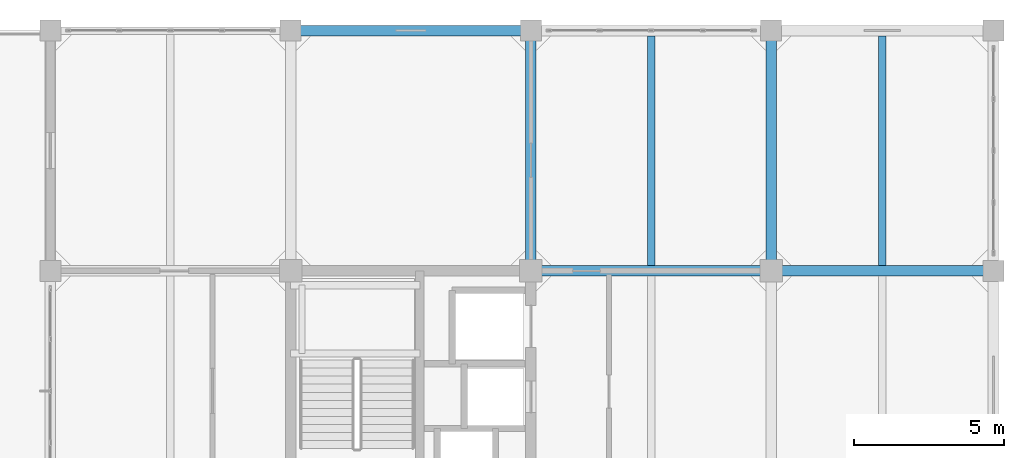
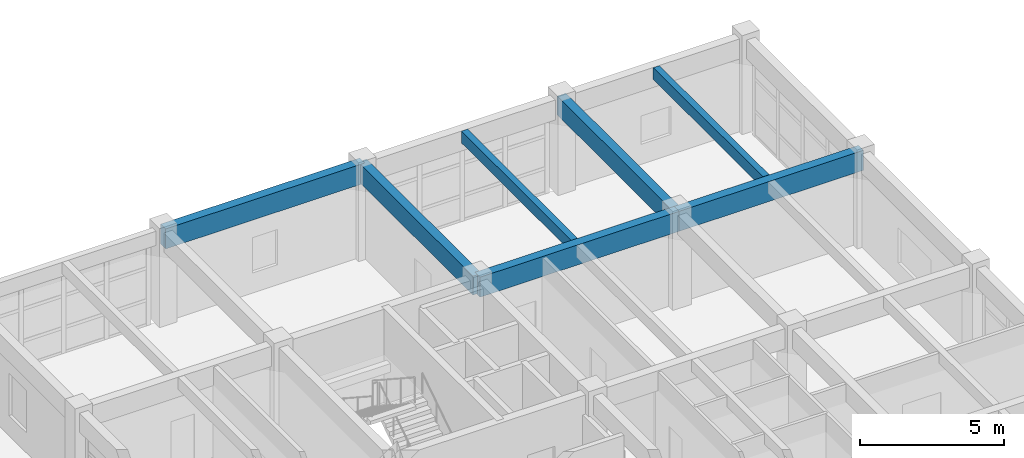
# One storey, part 14 of 25: 7 beams.
"""IFC4 building model written with IfcOpenShell, lengths in metres."""

from ifc_helpers import new_model, si_unit, direction, frame, origin, origin_2d, place, context, subcontext, project, spatial, rectangle, extrude, material, material_profile, profile_set, type_object, element, save


model = new_model("IFC4")

# Units and contexts
model_context = context("Model", 3, precision=1e-05, world=origin(), true_north=direction((0.0, 1.0)))
body_context = subcontext(model_context, "Body", "Model", "MODEL_VIEW")
ifc_project = project(units=[si_unit("LENGTHUNIT", "METRE"), si_unit("AREAUNIT", "SQUARE_METRE"), si_unit("VOLUMEUNIT", "CUBIC_METRE"), si_unit("PLANEANGLEUNIT", "RADIAN"), si_unit("MASSUNIT", "GRAM", prefix="KILO")], contexts=[model_context])

# Site, building, storey
site_placement = place(None, origin())
site = spatial("IfcSite", under=ifc_project, at=site_placement, CompositionType="ELEMENT")
building_placement = place(site_placement, origin())
building = spatial("IfcBuilding", under=site, at=building_placement, Name="Canggui Botanical Conservatory", CompositionType="ELEMENT")
storey_placement = place(building_placement, frame((0.0, 0.0, 40.199951171875)))
storey = spatial("IfcBuildingStorey", under=building, at=storey_placement, Name="L10", CompositionType="ELEMENT", Elevation=40.199951171875)

# Beams
ifc_material = material(Name="Concrete C35", Category="concrete")
ifc_material_profile_1 = material_profile(ifc_material, rectangle(XDim=0.25, YDim=0.5, at=origin_2d()), Name="RB 250x500")
ifc_profile_set_1 = profile_set([ifc_material_profile_1], Name="Concrete C35")
beam_type_1 = type_object("IfcBeamType", Name="BM-JST04", PredefinedType="JOIST", material=ifc_profile_set_1)
for number, where, z_axis, x_axis, name in (
    (1, (166.0, 66.179931640625, 3.7099609375), (0.0, 1.0, 0.0), (-1.0, 0.0, 0.0), "Secondary Floor Joist L10-3-5"),
    (2, (173.699951171875, 66.179931640625, 3.7099609375), (0.0, 1.0, 0.0), (-1.0, 0.0, 0.0), "Secondary Floor Joist L10-4-5"),
):
    element("IfcBeam", number, at=place(storey_placement, frame(where, z_axis=z_axis, x_axis=x_axis)), inside=storey, type_object=beam_type_1, Name=name, PredefinedType="JOIST", context=body_context, shape_type="SweptSolid", body=[
        extrude(rectangle(XDim=0.25, YDim=0.5, at=origin_2d()), origin(), (0.0, 0.0, 1.0), 7.64013671875),
    ])
ifc_material_profile_2 = material_profile(ifc_material, rectangle(XDim=0.35009765625, YDim=0.85009765625, at=origin_2d()), Name="RB 350x850")
ifc_profile_set_2 = profile_set([ifc_material_profile_2], Name="Concrete C35")
beam_type_2 = type_object("IfcBeamType", Name="BM-KL14", PredefinedType="BEAM", material=ifc_profile_set_2)
beam_1_placement = place(storey_placement, frame((162.0, 66.0, 3.53515625), z_axis=(1.0, 0.0, 0.0), x_axis=(0.0, 1.0, 0.0)))
element("IfcBeam", 3, at=beam_1_placement, inside=storey, type_object=beam_type_2, Name="Frame Girder L10 Y66-3", PredefinedType="BEAM", context=body_context, shape_type="SweptSolid", body=[
    extrude(rectangle(XDim=0.35009765625, YDim=0.85009765625, at=origin_2d()), origin(), (0.0, 0.0, 1.0), 8.0),
])
beam_2_placement = place(storey_placement, frame((170.0, 66.0, 3.53515625), z_axis=(1.0, 0.0, 0.0), x_axis=(0.0, 1.0, 0.0)))
element("IfcBeam", 4, at=beam_2_placement, inside=storey, type_object=beam_type_2, Name="Frame Girder L10 Y66-4", PredefinedType="BEAM", context=body_context, shape_type="SweptSolid", body=[
    extrude(rectangle(XDim=0.35009765625, YDim=0.85009765625, at=origin_2d()), origin(), (0.0, 0.0, 1.0), 7.39990234375),
])
beam_3_placement = place(storey_placement, frame((154.0, 74.0, 3.53515625), z_axis=(1.0, 0.0, 0.0), x_axis=(0.0, 1.0, 0.0)))
element("IfcBeam", 5, at=beam_3_placement, inside=storey, type_object=beam_type_2, Name="Frame Girder L10 Y74-2", PredefinedType="BEAM", context=body_context, shape_type="SweptSolid", body=[
    extrude(rectangle(XDim=0.35009765625, YDim=0.85009765625, at=origin_2d()), origin(), (0.0, 0.0, 1.0), 8.0),
])
ifc_material_profile_3 = material_profile(ifc_material, rectangle(XDim=0.35009765625, YDim=0.800048828125, at=origin_2d()), Name="RB 350x800")
ifc_profile_set_3 = profile_set([ifc_material_profile_3], Name="Concrete C35")
beam_type_3 = type_object("IfcBeamType", Name="BM-KL15", PredefinedType="BEAM", material=ifc_profile_set_3)
for number, where, z_axis, x_axis, name in (
    (6, (162.0, 66.0, 3.56005859375), (0.0, 1.0, 0.0), (-1.0, 0.0, 0.0), "Frame Girder L10 X162-5"),
    (7, (170.0, 66.0, 3.56005859375), (0.0, 1.0, 0.0), (-1.0, 0.0, 0.0), "Frame Girder L10 X170-5"),
):
    element("IfcBeam", number, at=place(storey_placement, frame(where, z_axis=z_axis, x_axis=x_axis)), inside=storey, type_object=beam_type_3, Name=name, PredefinedType="BEAM", context=body_context, shape_type="SweptSolid", body=[
        extrude(rectangle(XDim=0.35009765625, YDim=0.800048828125, at=origin_2d()), origin(), (0.0, 0.0, 1.0), 8.0),
    ])

save(model, "model.ifc")
